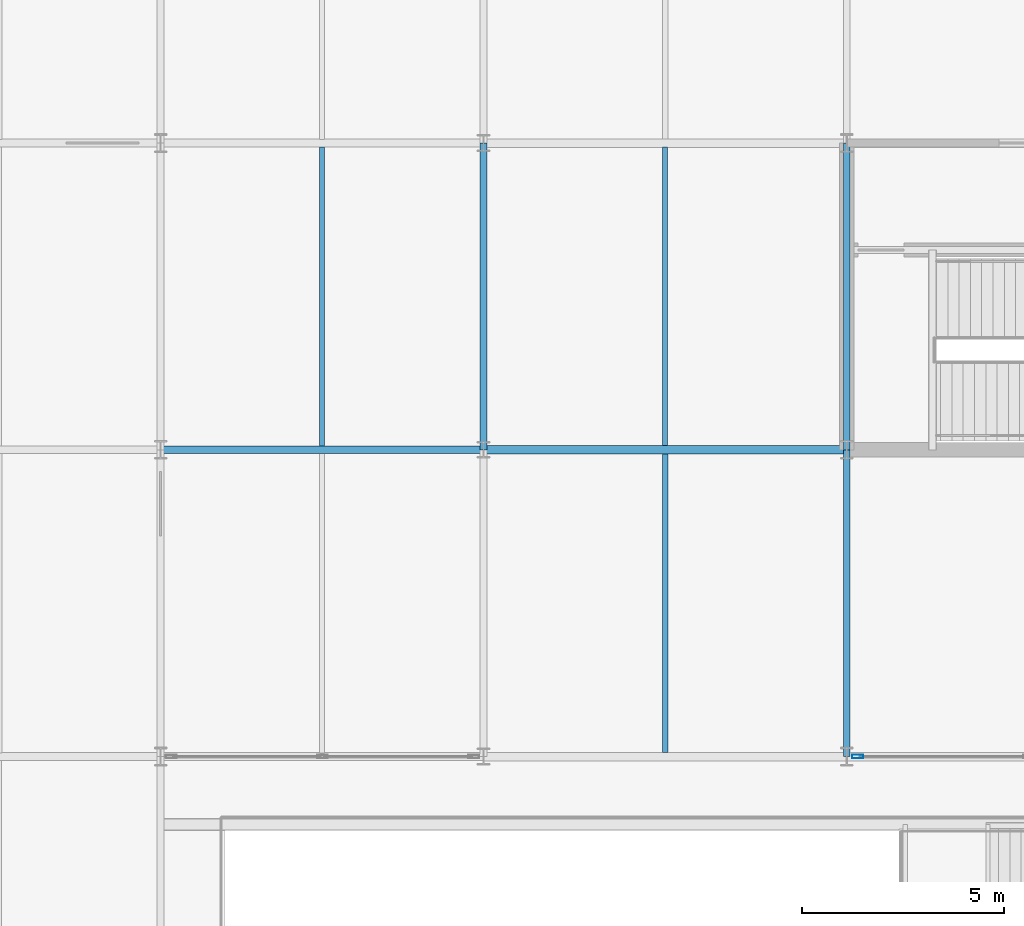
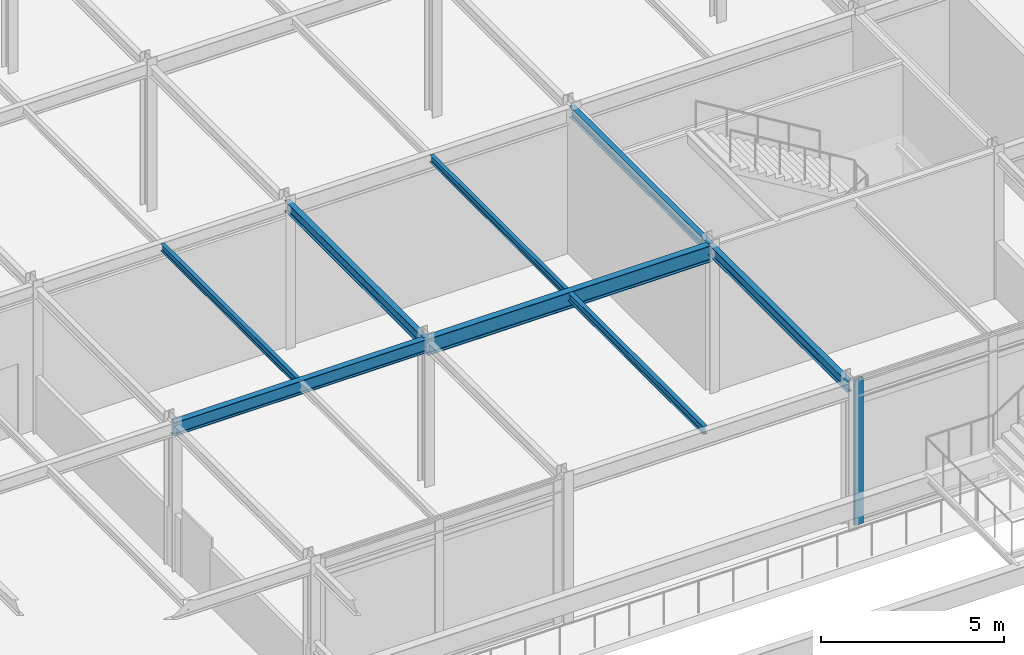
# One storey, part 36 of 113: 8 beams, 1 member, 1 element without a shape of its own.
"""IFC4 building model written with IfcOpenShell, lengths in metres."""

from ifc_helpers import new_model, si_unit, direction, frame, origin, origin_2d, place, context, subcontext, project, spatial, hollow_rectangle, i_section, extrude, material, layer, layer_set, material_profile, profile_set, type_object, element, aggregate, save


model = new_model("IFC4")

# Units and contexts
model_context = context("Model", 3, precision=1e-05, world=origin(), true_north=direction((0.0, 1.0)))
body_context = subcontext(model_context, "Body", "Model", "MODEL_VIEW")
ifc_project = project(units=[si_unit("LENGTHUNIT", "METRE"), si_unit("AREAUNIT", "SQUARE_METRE"), si_unit("VOLUMEUNIT", "CUBIC_METRE"), si_unit("PLANEANGLEUNIT", "RADIAN"), si_unit("MASSUNIT", "GRAM", prefix="KILO")], contexts=[model_context])

# Site, building, storey
site_placement = place(None, origin())
site = spatial("IfcSite", under=ifc_project, at=site_placement, CompositionType="ELEMENT")
building_placement = place(site_placement, origin())
building = spatial("IfcBuilding", under=site, at=building_placement, Name="Shalkamar Park Central Library", CompositionType="ELEMENT")
storey_placement = place(building_placement, frame((0.0, 0.0, 5.39990234375)))
storey = spatial("IfcBuildingStorey", under=building, at=storey_placement, Name="L02", CompositionType="ELEMENT", Elevation=5.39990234375)

# Beams
ifc_material_1 = material(Name="Steel S355", Category="steel")
ifc_material_profile_1 = material_profile(ifc_material_1, i_section(OverallWidth=0.1201171875, OverallDepth=0.239990234375, WebThickness=0.006103515625, FlangeThickness=0.009765625, FilletRadius=0.014892578125, at=origin_2d()), Name="IPE 240")
ifc_profile_set_1 = profile_set([ifc_material_profile_1], Name="Steel S355")
beam_type_1 = type_object("IfcBeamType", Name="Composite Floor Joist IPE240", PredefinedType="JOIST", material=ifc_profile_set_1)
beam_1_placement = place(storey_placement, frame((233.0, 300.89306640625, 4.739990234375), z_axis=(0.0, 1.0, 0.0), x_axis=(-1.0, 0.0, 0.0)))
element("IfcBeam", 1, at=beam_1_placement, inside=storey, type_object=beam_type_1, Name="Composite Joist 15/J-1 (L02)", PredefinedType="JOIST", context=body_context, shape_type="SweptSolid", body=[
    extrude(i_section(OverallWidth=0.1201171875, OverallDepth=0.239990234375, WebThickness=0.006103515625, FlangeThickness=0.009765625, FilletRadius=0.014892578125, at=origin_2d()), origin(), (0.0, 0.0, 1.0), 7.413818359375),
])
beam_2_placement = place(storey_placement, frame((241.5, 300.903076171875, 4.739990234375), z_axis=(0.0, 1.0, 0.0), x_axis=(-1.0, 0.0, 0.0)))
element("IfcBeam", 2, at=beam_2_placement, inside=storey, type_object=beam_type_1, Name="Composite Joist 16/J-1 (L02)", PredefinedType="JOIST", context=body_context, shape_type="SweptSolid", body=[
    extrude(i_section(OverallWidth=0.1201171875, OverallDepth=0.239990234375, WebThickness=0.006103515625, FlangeThickness=0.009765625, FilletRadius=0.014892578125, at=origin_2d()), origin(), (0.0, 0.0, 1.0), 7.39404296875),
])
ifc_material_profile_2 = material_profile(ifc_material_1, i_section(OverallWidth=0.135009765625, OverallDepth=0.27001953125, WebThickness=0.006591796875, FlangeThickness=0.01025390625, FilletRadius=0.014892578125, at=origin_2d()), Name="IPE 270")
ifc_profile_set_2 = profile_set([ifc_material_profile_2], Name="Steel S355")
beam_type_2 = type_object("IfcBeamType", Name="Composite Floor Joist IPE270", PredefinedType="JOIST", material=ifc_profile_set_2)
beam_3_placement = place(storey_placement, frame((241.5, 293.302978515625, 4.72509765625), z_axis=(0.0, 1.0, 0.0), x_axis=(-1.0, 0.0, 0.0)))
element("IfcBeam", 3, at=beam_3_placement, inside=storey, type_object=beam_type_2, Name="Composite Joist 16/H-1 (L02)", PredefinedType="JOIST", context=body_context, shape_type="SweptSolid", body=[
    extrude(i_section(OverallWidth=0.135009765625, OverallDepth=0.27001953125, WebThickness=0.006591796875, FlangeThickness=0.01025390625, FilletRadius=0.014892578125, at=origin_2d()), origin(), (0.0, 0.0, 1.0), 7.39404296875),
])

# Curtain wall, member
ifc_material_2 = material(Name="Thermally broken aluminium and triple low-e curtain wall", Category="aluminium")
ifc_layer = layer(ifc_material_2, 0.280029296875)
ifc_layer_set = layer_set([ifc_layer], Name="AtriumGlazedScreen_119")
curtain_wall_type = type_object("IfcCurtainWallType", Name="Atrium Glazed Screen 119", PredefinedType="USERDEFINED", material=ifc_layer_set)
curtain_wall_placement = place(storey_placement, origin())
curtain_wall = element("IfcCurtainWall", 4, at=curtain_wall_placement, inside=storey, type_object=curtain_wall_type, Name="Atrium Glazed Screen CW-L02-176", ObjectType="ATRIUM GLAZED SCREEN", PredefinedType="USERDEFINED")
ifc_material_3 = material(Name="Aluminium 6060-T66", Category="aluminium")
ifc_material_profile_3 = material_profile(ifc_material_3, hollow_rectangle(XDim=0.090087890625, YDim=0.280029296875, WallThickness=0.0048828125, InnerFilletRadius=0.0048828125, OuterFilletRadius=0.007568359375, at=origin_2d()), Name="ALU 90x280x5")
ifc_profile_set_3 = profile_set([ifc_material_profile_3], Name="Aluminium 6060-T66")
member_type = type_object("IfcMemberType", Name="Curtain Wall Mullion ALU90x280", PredefinedType="MULLION", material=ifc_profile_set_3)
member_placement = place(storey_placement, frame((246.27392578125, 293.199951171875, 0.0), z_axis=(0.0, 0.0, 1.0), x_axis=(0.0, 1.0, 0.0)))
member = element("IfcMember", 5, at=member_placement, type_object=member_type, Name="CW-119 mullion 1", PredefinedType="MULLION", context=body_context, shape_type="SweptSolid", body=[
    extrude(hollow_rectangle(XDim=0.090087890625, YDim=0.280029296875, WallThickness=0.0048828125, InnerFilletRadius=0.0048828125, OuterFilletRadius=0.007568359375, at=origin_2d()), origin(), (0.0, 0.0, 1.0), 4.860107421875),
])
aggregate(curtain_wall, [member])

# Beams
ifc_material_profile_4 = material_profile(ifc_material_1, i_section(OverallWidth=0.169921875, OverallDepth=0.360107421875, WebThickness=0.008056640625, FlangeThickness=0.0126953125, FilletRadius=0.01806640625, at=origin_2d()), Name="IPE 360")
ifc_profile_set_4 = profile_set([ifc_material_profile_4], Name="Steel S355")
beam_type_3 = type_object("IfcBeamType", Name="Primary Girder IPE360", PredefinedType="BEAM", material=ifc_profile_set_4)
beam_4_placement = place(storey_placement, frame((237.0, 300.800048828125, 4.68017578125), z_axis=(0.0, 1.0, 0.0), x_axis=(-1.0, 0.0, 0.0)))
element("IfcBeam", 6, at=beam_4_placement, inside=storey, type_object=beam_type_3, Name="Beam 16:J-K (L02)", PredefinedType="BEAM", context=body_context, shape_type="SweptSolid", body=[
    extrude(i_section(OverallWidth=0.169921875, OverallDepth=0.360107421875, WebThickness=0.008056640625, FlangeThickness=0.0126953125, FilletRadius=0.01806640625, at=origin_2d()), origin(), (0.0, 0.0, 1.0), 7.599853515625),
])
beam_5_placement = place(storey_placement, frame((246.0, 293.199951171875, 4.68017578125), z_axis=(0.0, 1.0, 0.0), x_axis=(-1.0, 0.0, 0.0)))
element("IfcBeam", 7, at=beam_5_placement, inside=storey, type_object=beam_type_3, Name="Beam 17:H-J (L02)", PredefinedType="BEAM", context=body_context, shape_type="SweptSolid", body=[
    extrude(i_section(OverallWidth=0.169921875, OverallDepth=0.360107421875, WebThickness=0.008056640625, FlangeThickness=0.0126953125, FilletRadius=0.01806640625, at=origin_2d()), origin(), (0.0, 0.0, 1.0), 7.60009765625),
])
beam_6_placement = place(storey_placement, frame((246.0, 300.800048828125, 4.68017578125), z_axis=(0.0, 1.0, 0.0), x_axis=(-1.0, 0.0, 0.0)))
element("IfcBeam", 8, at=beam_6_placement, inside=storey, type_object=beam_type_3, Name="Beam 17:J-K (L02)", PredefinedType="BEAM", context=body_context, shape_type="SweptSolid", body=[
    extrude(i_section(OverallWidth=0.169921875, OverallDepth=0.360107421875, WebThickness=0.008056640625, FlangeThickness=0.0126953125, FilletRadius=0.01806640625, at=origin_2d()), origin(), (0.0, 0.0, 1.0), 7.599853515625),
])
ifc_material_profile_5 = material_profile(ifc_material_1, i_section(OverallWidth=0.18994140625, OverallDepth=0.449951171875, WebThickness=0.009521484375, FlangeThickness=0.0146484375, FilletRadius=0.02099609375, at=origin_2d()), Name="IPE 450")
ifc_profile_set_5 = profile_set([ifc_material_profile_5], Name="Steel S355")
beam_type_4 = type_object("IfcBeamType", Name="Primary Girder IPE450", PredefinedType="BEAM", material=ifc_profile_set_5)
beam_7_placement = place(storey_placement, frame((229.0, 300.800048828125, 4.635009765625), z_axis=(1.0, 0.0, 0.0), x_axis=(0.0, 1.0, 0.0)))
element("IfcBeam", 9, at=beam_7_placement, inside=storey, type_object=beam_type_4, Name="Beam J:15-16 (L02)", PredefinedType="BEAM", context=body_context, shape_type="SweptSolid", body=[
    extrude(i_section(OverallWidth=0.18994140625, OverallDepth=0.449951171875, WebThickness=0.009521484375, FlangeThickness=0.0146484375, FilletRadius=0.02099609375, at=origin_2d()), origin(), (0.0, 0.0, 1.0), 8.0),
])
ifc_material_profile_6 = material_profile(ifc_material_1, i_section(OverallWidth=0.2099609375, OverallDepth=0.550048828125, WebThickness=0.010986328125, FlangeThickness=0.01708984375, FilletRadius=0.02392578125, at=origin_2d()), Name="IPE 550")
ifc_profile_set_6 = profile_set([ifc_material_profile_6], Name="Steel S355")
beam_type_5 = type_object("IfcBeamType", Name="Primary Girder IPE550", PredefinedType="BEAM", material=ifc_profile_set_6)
beam_8_placement = place(storey_placement, frame((237.0, 300.800048828125, 4.585205078125), z_axis=(1.0, 0.0, 0.0), x_axis=(0.0, 1.0, 0.0)))
element("IfcBeam", 10, at=beam_8_placement, inside=storey, type_object=beam_type_5, Name="Beam J:16-17 (L02)", PredefinedType="BEAM", context=body_context, shape_type="SweptSolid", body=[
    extrude(i_section(OverallWidth=0.2099609375, OverallDepth=0.550048828125, WebThickness=0.010986328125, FlangeThickness=0.01708984375, FilletRadius=0.02392578125, at=origin_2d()), origin(), (0.0, 0.0, 1.0), 9.0),
])

save(model, "model.ifc")
